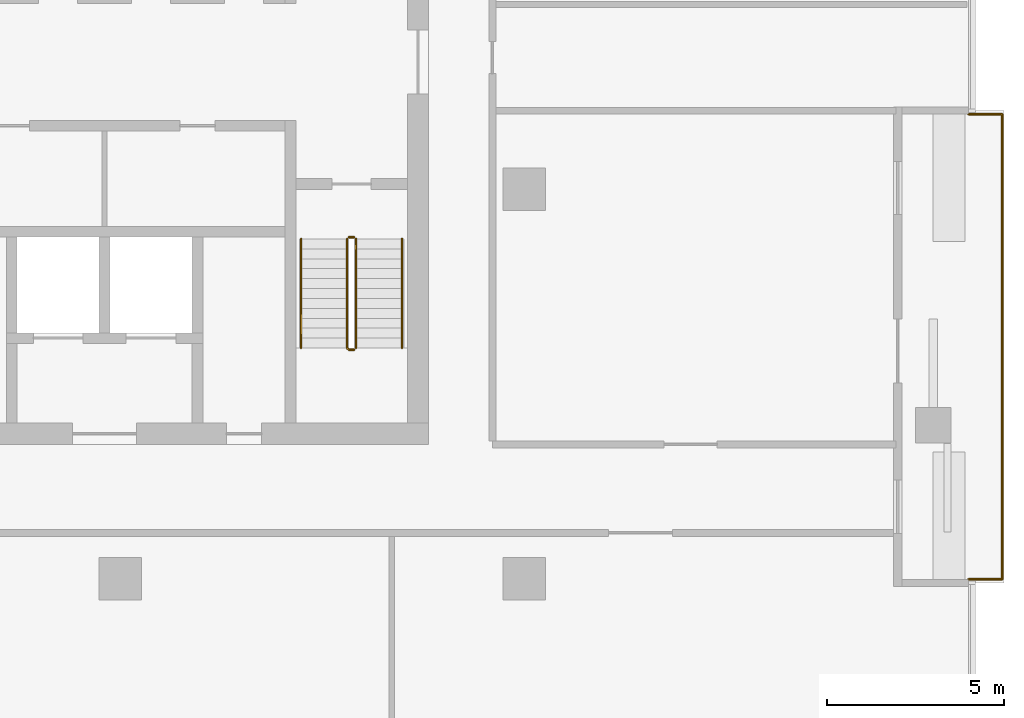
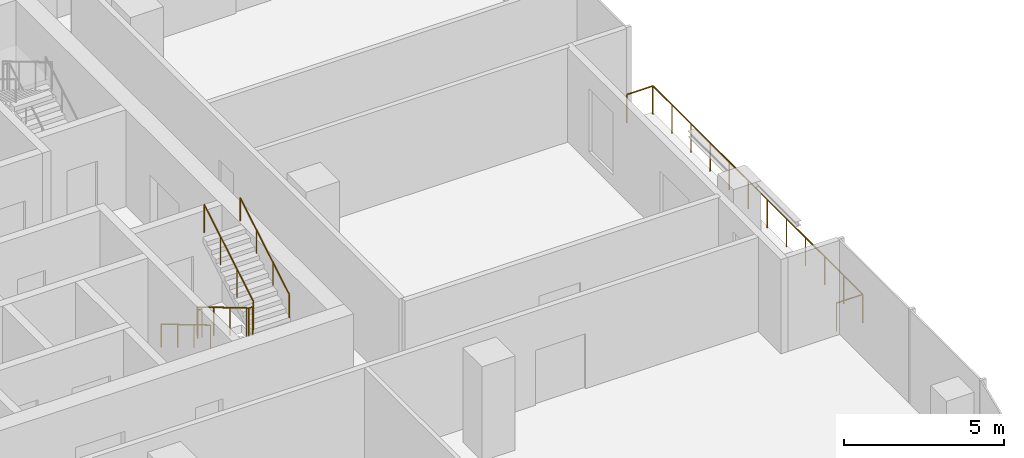
# One storey, part 12 of 13: 6 railings.
"""IFC4 building model written with IfcOpenShell, lengths in metres."""

from ifc_helpers import new_model, si_unit, direction, frame, origin, origin_2d, place, context, subcontext, project, spatial, circle, extrude, material, type_object, element, save


model = new_model("IFC4")

# Units and contexts
model_context = context("Model", 3, precision=1e-05, world=origin(), true_north=direction((0.0, 1.0)))
body_context = subcontext(model_context, "Body", "Model", "MODEL_VIEW")
ifc_project = project(units=[si_unit("LENGTHUNIT", "METRE"), si_unit("AREAUNIT", "SQUARE_METRE"), si_unit("VOLUMEUNIT", "CUBIC_METRE"), si_unit("PLANEANGLEUNIT", "RADIAN"), si_unit("MASSUNIT", "GRAM", prefix="KILO")], contexts=[model_context])

# Site, building, storey
site_placement = place(None, origin())
site = spatial("IfcSite", under=ifc_project, at=site_placement, CompositionType="ELEMENT")
building_placement = place(site_placement, origin())
building = spatial("IfcBuilding", under=site, at=building_placement, Name="Mopane Tessera Tower", CompositionType="ELEMENT")
storey_placement = place(building_placement, frame((0.0, 0.0, 271.39990234375)))
storey = spatial("IfcBuildingStorey", under=building, at=storey_placement, Name="L58", CompositionType="ELEMENT", Elevation=271.39990234375)

# Railings
ifc_material_1 = material(Name="Powder-coated steel balustrade", Category="steel")
railing_type_1 = type_object("IfcRailingType", Name="Escape stair guard 1100 mm", PredefinedType="GUARDRAIL", material=ifc_material_1)
railing_1_placement = place(storey_placement, frame((12.10009765625, -1.39990234375, 0.166748046875)))
element("IfcRailing", 1, at=railing_1_placement, inside=storey, type_object=railing_type_1, Name="L58 ST3 stair guard 1", PredefinedType="GUARDRAIL", context=body_context, shape_type="SweptSolid", body=[
    extrude(circle(Radius=0.02392578125, at=origin_2d()), frame((0.0, 0.0, 1.076171875), z_axis=(0.0, -0.859308565015, 0.511457515432), x_axis=(1.0, 0.0, 0.0)), (0.0, 0.0, 1.0), 3.58447265625),
    extrude(circle(Radius=0.02392578125, at=origin_2d()), frame((0.0, -3.080078125, 2.9091796875), z_axis=(0.705375805398, -0.708833529934, 0.0), x_axis=(0.708833529934, 0.705375805398, 0.0)), (0.0, 0.0, 1.0), 0.070556640625),
    extrude(circle(Radius=0.02392578125, at=origin_2d()), frame((0.0498046875, -3.130126953125, 2.9091796875), z_axis=(1.0, 0.0, 0.0), x_axis=(0.0, 1.0, 0.0)), (0.0, 0.0, 1.0), 0.150146484375),
    extrude(circle(Radius=0.02099609375, at=origin_2d()), origin(), (0.0, 0.0, 1.0), 1.052001953125),
    extrude(circle(Radius=0.02099609375, at=origin_2d()), frame((0.0, -1.026611328125, 0.611083984375)), (0.0, 0.0, 1.0), 1.052001953125),
    extrude(circle(Radius=0.02099609375, at=origin_2d()), frame((0.0, -2.053466796875, 1.22216796875)), (0.0, 0.0, 1.0), 1.052001953125),
    extrude(circle(Radius=0.02099609375, at=origin_2d()), frame((0.0, -3.080078125, 1.833251953125)), (0.0, 0.0, 1.0), 1.052001953125),
    extrude(circle(Radius=0.02099609375, at=origin_2d()), frame((0.0498046875, -3.130126953125, 1.833251953125)), (0.0, 0.0, 1.0), 1.052001953125),
    extrude(circle(Radius=0.02099609375, at=origin_2d()), frame((0.199951171875, -3.130126953125, 1.833251953125)), (0.0, 0.0, 1.0), 1.052001953125),
])
railing_2_placement = place(storey_placement, frame((12.35009765625, -4.47998046875, 2.166748046875)))
element("IfcRailing", 2, at=railing_2_placement, inside=storey, type_object=railing_type_1, Name="L58 ST3 stair guard 2", PredefinedType="GUARDRAIL", context=body_context, shape_type="SweptSolid", body=[
    extrude(circle(Radius=0.02392578125, at=origin_2d()), frame((0.0, 0.0, 1.076171875), z_axis=(0.0, 0.859308565015, 0.511457515432), x_axis=(-1.0, 0.0, 0.0)), (0.0, 0.0, 1.0), 3.58447265625),
    extrude(circle(Radius=0.02099609375, at=origin_2d()), origin(), (0.0, 0.0, 1.0), 1.052001953125),
    extrude(circle(Radius=0.02099609375, at=origin_2d()), frame((0.0, 1.026611328125, 0.611083984375)), (0.0, 0.0, 1.0), 1.052001953125),
    extrude(circle(Radius=0.02099609375, at=origin_2d()), frame((0.0, 2.053466796875, 1.22216796875)), (0.0, 0.0, 1.0), 1.052001953125),
    extrude(circle(Radius=0.02099609375, at=origin_2d()), frame((0.0, 3.080078125, 1.833251953125)), (0.0, 0.0, 1.0), 1.052001953125),
])
railing_3_placement = place(storey_placement, frame((12.14990234375, -1.35009765625, 0.0)))
element("IfcRailing", 3, at=railing_3_placement, inside=storey, type_object=railing_type_1, Name="L58 ST3 stair guard 3", PredefinedType="GUARDRAIL", context=body_context, shape_type="SweptSolid", body=[
    extrude(circle(Radius=0.02392578125, at=origin_2d()), frame((0.0, 0.0, 1.076171875), z_axis=(1.0, 0.0, 0.0), x_axis=(0.0, 1.0, 0.0)), (0.0, 0.0, 1.0), 0.150146484375),
    extrude(circle(Radius=0.02099609375, at=origin_2d()), origin(), (0.0, 0.0, 1.0), 1.052001953125),
    extrude(circle(Radius=0.02099609375, at=origin_2d()), frame((0.150146484375, 0.0, 0.0)), (0.0, 0.0, 1.0), 1.052001953125),
])
ifc_material_2 = material(Name="Powder-coated steel balustrade", Category="steel")
railing_type_2 = type_object("IfcRailingType", Name="Escape stair handrail 900 mm", PredefinedType="HANDRAIL", material=ifc_material_2)
railing_4_placement = place(storey_placement, frame((10.800048828125, -1.39990234375, 0.166748046875)))
element("IfcRailing", 4, at=railing_4_placement, inside=storey, type_object=railing_type_2, Name="L58 ST3 stair handrail 1", PredefinedType="HANDRAIL", context=body_context, shape_type="SweptSolid", body=[
    extrude(circle(Radius=0.02392578125, at=origin_2d()), frame((0.0, 0.0, 0.8759765625), z_axis=(0.0, -0.859308565015, 0.511457515432), x_axis=(1.0, 0.0, 0.0)), (0.0, 0.0, 1.0), 3.58447265625),
    extrude(circle(Radius=0.02099609375, at=origin_2d()), origin(), (0.0, 0.0, 1.0), 0.851806640625),
    extrude(circle(Radius=0.02099609375, at=origin_2d()), frame((0.0, -1.026611328125, 0.611083984375)), (0.0, 0.0, 1.0), 0.851806640625),
    extrude(circle(Radius=0.02099609375, at=origin_2d()), frame((0.0, -2.053466796875, 1.22216796875)), (0.0, 0.0, 1.0), 0.851806640625),
    extrude(circle(Radius=0.02099609375, at=origin_2d()), frame((0.0, -3.080078125, 1.833251953125)), (0.0, 0.0, 1.0), 0.851806640625),
])
railing_5_placement = place(storey_placement, frame((13.64990234375, -4.47998046875, 2.166748046875)))
element("IfcRailing", 5, at=railing_5_placement, inside=storey, type_object=railing_type_2, Name="L58 ST3 stair handrail 2", PredefinedType="HANDRAIL", context=body_context, shape_type="SweptSolid", body=[
    extrude(circle(Radius=0.02392578125, at=origin_2d()), frame((0.0, 0.0, 0.8759765625), z_axis=(0.0, 0.859308565015, 0.511457515432), x_axis=(-1.0, 0.0, 0.0)), (0.0, 0.0, 1.0), 3.58447265625),
    extrude(circle(Radius=0.02099609375, at=origin_2d()), origin(), (0.0, 0.0, 1.0), 0.851806640625),
    extrude(circle(Radius=0.02099609375, at=origin_2d()), frame((0.0, 1.026611328125, 0.611083984375)), (0.0, 0.0, 1.0), 0.851806640625),
    extrude(circle(Radius=0.02099609375, at=origin_2d()), frame((0.0, 2.053466796875, 1.22216796875)), (0.0, 0.0, 1.0), 0.851806640625),
    extrude(circle(Radius=0.02099609375, at=origin_2d()), frame((0.0, 3.080078125, 1.833251953125)), (0.0, 0.0, 1.0), 0.851806640625),
])
ifc_material_3 = material(Name="Stainless steel S316", Category="steel")
railing_type_3 = type_object("IfcRailingType", Name="Terrace guard 1100", PredefinedType="GUARDRAIL", material=ifc_material_3)
railing_6_placement = place(storey_placement, frame((29.64990234375, -11.01123046875, 0.0)))
element("IfcRailing", 6, at=railing_6_placement, inside=storey, type_object=railing_type_3, Name="e:nw:L58:N1:guard", PredefinedType="GUARDRAIL", context=body_context, shape_type="SweptSolid", body=[
    extrude(circle(Radius=0.02392578125, at=origin_2d()), frame((0.0, 0.0, 1.076171875), z_axis=(1.0, 0.0, 0.0), x_axis=(0.0, 1.0, 0.0)), (0.0, 0.0, 1.0), 0.9501953125),
    extrude(circle(Radius=0.02392578125, at=origin_2d()), frame((0.9501953125, 0.0, 1.076171875), z_axis=(0.0, 1.0, 0.0), x_axis=(-1.0, 0.0, 0.0)), (0.0, 0.0, 1.0), 13.133544921875),
    extrude(circle(Radius=0.02392578125, at=origin_2d()), frame((0.9501953125, 13.133544921875, 1.076171875), z_axis=(-1.0, 0.0, 0.0), x_axis=(0.0, -1.0, 0.0)), (0.0, 0.0, 1.0), 0.9501953125),
    extrude(circle(Radius=0.02099609375, at=origin_2d()), origin(), (0.0, 0.0, 1.0), 1.052001953125),
    extrude(circle(Radius=0.02099609375, at=origin_2d()), frame((0.9501953125, 0.0, 0.0)), (0.0, 0.0, 1.0), 1.052001953125),
    extrude(circle(Radius=0.02099609375, at=origin_2d()), frame((0.9501953125, 1.19384765625, 0.0)), (0.0, 0.0, 1.0), 1.052001953125),
    extrude(circle(Radius=0.02099609375, at=origin_2d()), frame((0.9501953125, 2.387939453125, 0.0)), (0.0, 0.0, 1.0), 1.052001953125),
    extrude(circle(Radius=0.02099609375, at=origin_2d()), frame((0.9501953125, 3.581787109375, 0.0)), (0.0, 0.0, 1.0), 1.052001953125),
    extrude(circle(Radius=0.02099609375, at=origin_2d()), frame((0.9501953125, 4.77587890625, 0.0)), (0.0, 0.0, 1.0), 1.052001953125),
    extrude(circle(Radius=0.02099609375, at=origin_2d()), frame((0.9501953125, 5.9697265625, 0.0)), (0.0, 0.0, 1.0), 1.052001953125),
    extrude(circle(Radius=0.02099609375, at=origin_2d()), frame((0.9501953125, 7.163818359375, 0.0)), (0.0, 0.0, 1.0), 1.052001953125),
    extrude(circle(Radius=0.02099609375, at=origin_2d()), frame((0.9501953125, 8.357666015625, 0.0)), (0.0, 0.0, 1.0), 1.052001953125),
    extrude(circle(Radius=0.02099609375, at=origin_2d()), frame((0.9501953125, 9.5517578125, 0.0)), (0.0, 0.0, 1.0), 1.052001953125),
    extrude(circle(Radius=0.02099609375, at=origin_2d()), frame((0.9501953125, 10.74560546875, 0.0)), (0.0, 0.0, 1.0), 1.052001953125),
    extrude(circle(Radius=0.02099609375, at=origin_2d()), frame((0.9501953125, 11.939697265625, 0.0)), (0.0, 0.0, 1.0), 1.052001953125),
    extrude(circle(Radius=0.02099609375, at=origin_2d()), frame((0.9501953125, 13.133544921875, 0.0)), (0.0, 0.0, 1.0), 1.052001953125),
    extrude(circle(Radius=0.02099609375, at=origin_2d()), frame((0.0, 13.133544921875, 0.0)), (0.0, 0.0, 1.0), 1.052001953125),
])

save(model, "model.ifc")
